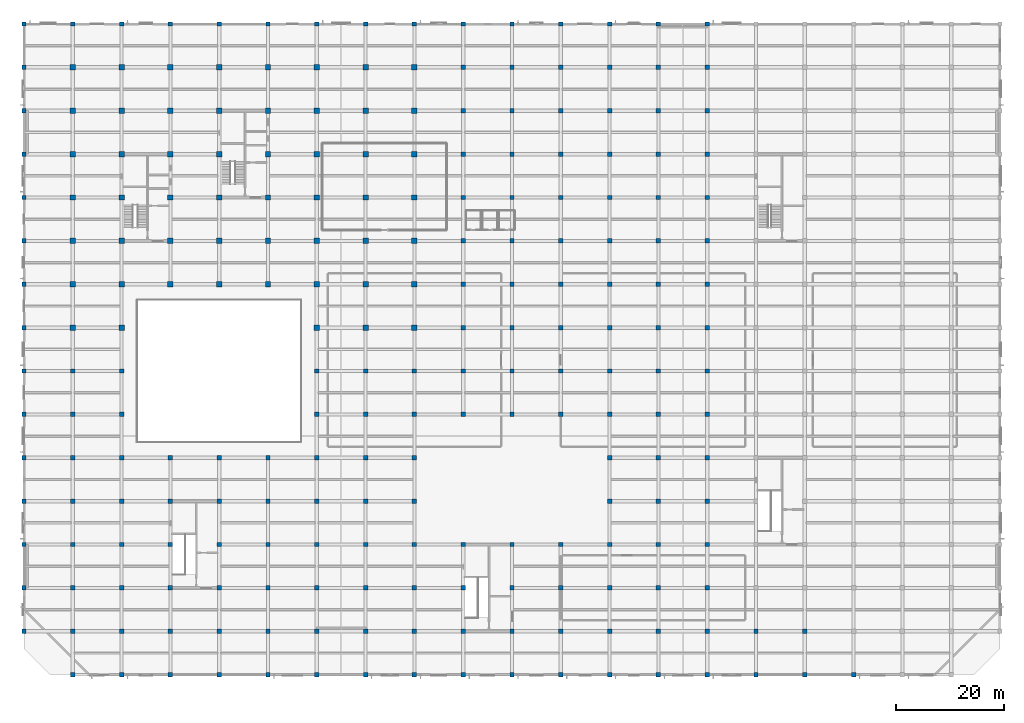
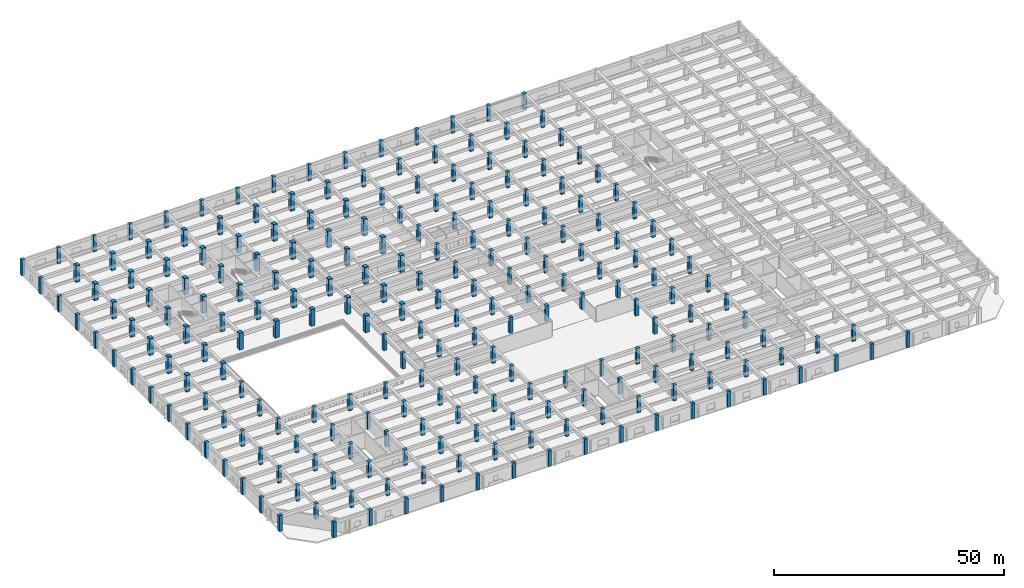
# One storey, part 1 of 32: 229 columns.
"""IFC4 building model written with IfcOpenShell, lengths in metres."""

import ifcopenshell
import ifcopenshell.guid

model = None  # the IFC model being written
_history = None  # IfcOwnerHistory: only IFC2X3 demands one
_inside = {}  # id of a spatial element -> (the spatial element, [elements in it])
_under = {}  # id of a project, library or spatial element -> (it, [spatial elements below it])
_declared = {}  # id of a project -> (the project, [libraries it declares])
_typed = {}  # id of a type object -> (the type object, [elements of that type])
_made_of = {}  # id of a material, layer set ... -> (it, [elements and type objects made of it])


def new_model(schema):
    """Start an empty IFC model of exactly this schema.

    Asked for "IFC4X3", IfcOpenShell would pick the latest addendum, in which some entities
    have other attributes; the version numbers below select the first issue.
    IFC2X3 requires an IfcOwnerHistory on every rooted entity: one is made here for all.
    """
    global model, _history
    if schema == "IFC4X3":
        model = ifcopenshell.file(schema_version=(4, 3, 0, 0))
    else:
        model = ifcopenshell.file(schema=schema)
    _inside.clear()
    _under.clear()
    _declared.clear()
    _typed.clear()
    _made_of.clear()
    _history = None
    if model.schema == "IFC2X3":
        org = make("IfcOrganization", Name="unknown")
        user = make(
            "IfcPersonAndOrganization",
            ThePerson=make("IfcPerson", FamilyName="unknown"),
            TheOrganization=org,
        )
        app = make(
            "IfcApplication",
            ApplicationDeveloper=org,
            Version="unknown",
            ApplicationFullName="unknown",
            ApplicationIdentifier="unknown",
        )
        _history = make(
            "IfcOwnerHistory",
            OwningUser=user,
            OwningApplication=app,
            ChangeAction="ADDED",
            CreationDate=0,
        )
    return model


def make(cls, **values):
    """One entity of the class cls with the attributes given. An attribute that is None is left unset."""
    return model.create_entity(
        cls, **{name: value for name, value in values.items() if value is not None}
    )


def rooted(cls, **values):
    """An entity with a GlobalId (a new one), such as an element, a storey or a relation."""
    return make(cls, GlobalId=ifcopenshell.guid.new(), OwnerHistory=_history, **values)


def si_unit(unit_type, name, prefix=None):
    """IfcSIUnit, for example si_unit("LENGTHUNIT", "METRE", prefix="MILLI")."""
    return make("IfcSIUnit", UnitType=unit_type, Prefix=prefix, Name=name)


def assignment(units):
    """IfcUnitAssignment: the units of a project."""
    return None if units is None else make("IfcUnitAssignment", Units=units)


def point(xyz):
    """IfcCartesianPoint."""
    return None if xyz is None else make("IfcCartesianPoint", Coordinates=xyz)


def direction(xyz):
    """IfcDirection."""
    return None if xyz is None else make("IfcDirection", DirectionRatios=xyz)


def frame(location, z_axis=None, x_axis=None):
    """IfcAxis2Placement3D, a coordinate frame: its origin and axes. An axis left out is left unset."""
    return make(
        "IfcAxis2Placement3D",
        Location=point(location),
        Axis=direction(z_axis),
        RefDirection=direction(x_axis),
    )


def frame_2d(location, x_axis=None):
    """IfcAxis2Placement2D, a coordinate frame in the plane: its origin and x axis."""
    return make(
        "IfcAxis2Placement2D", Location=point(location), RefDirection=direction(x_axis)
    )


def origin():
    """The frame at (0, 0, 0) with its axes left unset."""
    return frame((0.0, 0.0, 0.0))


def origin_2d():
    """The frame at (0, 0) in the plane with its x axis left unset."""
    return frame_2d((0.0, 0.0))


def place(relative_to, where):
    """IfcLocalPlacement: puts the frame where relative to a parent placement (None: the world)."""
    return make(
        "IfcLocalPlacement", PlacementRelTo=relative_to, RelativePlacement=where
    )


def context(
    kind, dimensions, precision=None, world=None, true_north=None, identifier=None
):
    """IfcGeometricRepresentationContext, for example the 3D "Model" context."""
    return make(
        "IfcGeometricRepresentationContext",
        ContextIdentifier=identifier,
        ContextType=kind,
        CoordinateSpaceDimension=dimensions,
        Precision=precision,
        WorldCoordinateSystem=world,
        TrueNorth=true_north,
    )


def subcontext(parent, identifier, kind, view, scale=None):
    """IfcGeometricRepresentationSubContext, for example "Body" below "Model"."""
    return make(
        "IfcGeometricRepresentationSubContext",
        ContextIdentifier=identifier,
        ContextType=kind,
        ParentContext=parent,
        TargetScale=scale,
        TargetView=view,
    )


def project(units=None, contexts=None):
    """IfcProject with its units and contexts."""
    return rooted(
        "IfcProject",
        Name="project",
        RepresentationContexts=contexts,
        UnitsInContext=assignment(units),
    )


def spatial(cls, under=None, at=None, **own):
    """A site, building, storey or space (cls), placed at a placement, below another one or the project."""
    s = rooted(cls, ObjectPlacement=at, **own)
    if under is not None:
        _under.setdefault(under.id(), (under, []))[1].append(s)
    return s


def profile(cls, at=None, kind="AREA", **sizes):
    """A parametric profile (cls). Its sizes go by their IFC names, for example OverallWidth=200.0."""
    return make(cls, ProfileType=kind, Position=at, **sizes)


def rectangle(**sizes):
    """IfcRectangleProfileDef."""
    return profile("IfcRectangleProfileDef", **sizes)


def extrude(swept, where, along, depth):
    """IfcExtrudedAreaSolid: the profile swept, set in the frame where, extruded along a direction by depth."""
    return make(
        "IfcExtrudedAreaSolid",
        SweptArea=swept,
        Position=where,
        ExtrudedDirection=direction(along),
        Depth=depth,
    )


def shape(context_of_items, identifier, shape_type, items):
    """IfcShapeRepresentation: the items that make up one representation, for example the "Body"."""
    return make(
        "IfcShapeRepresentation",
        ContextOfItems=context_of_items,
        RepresentationIdentifier=identifier,
        RepresentationType=shape_type,
        Items=items,
    )


def material(Name=None, Category=None):
    """IfcMaterial."""
    return make("IfcMaterial", Name=Name, Category=Category)


def material_profile(
    of_material, cross_section, Name=None, Category=None, Priority=None
):
    """IfcMaterialProfile: a cross section and its material."""
    return make(
        "IfcMaterialProfile",
        Name=Name,
        Material=of_material,
        Profile=cross_section,
        Priority=Priority,
        Category=Category,
    )


def profile_set(profiles, Name=None, composite=None):
    """IfcMaterialProfileSet."""
    return make(
        "IfcMaterialProfileSet",
        Name=Name,
        MaterialProfiles=profiles,
        CompositeProfile=composite,
    )


def made_of(thing, what):
    """Note that an element or type object is made of a material, layer set ...; save() writes the relation."""
    if what is not None:
        _made_of.setdefault(what.id(), (what, []))[1].append(thing)
    return thing


def type_object(cls, material=None, **own):
    """A type object (cls), such as IfcWallType, which elements share."""
    return made_of(rooted(cls, **own), material)


def element(
    cls,
    number,
    at=None,
    inside=None,
    cuts=None,
    type_object=None,
    material=None,
    context=None,
    identifier="Body",
    shape_type=None,
    held_by="IfcProductDefinitionShape",
    body=None,
    shapes=None,
    **own,
):
    """One element of the class cls, such as IfcWall. Its Tag is "e" and its number.

    at: its placement. inside: the storey or other place that contains it. cuts: it is an
    opening in that element (IfcRelVoidsElement). A single representation is given by context,
    identifier, shape_type and body (its items); several are given by shapes. held_by: the class
    of the entity that holds the representations. save() writes the other relations.
    """
    e = rooted(cls, Tag="e%d" % number, ObjectPlacement=at, **own)
    if body is not None:
        shapes = [shape(context, identifier, shape_type, body)]
    if shapes is not None:
        e.Representation = make(held_by, Representations=shapes)
    if inside is not None:
        _inside.setdefault(inside.id(), (inside, []))[1].append(e)
    if cuts is not None:
        rooted(
            "IfcRelVoidsElement", RelatingBuildingElement=cuts, RelatedOpeningElement=e
        )
    if type_object is not None:
        _typed.setdefault(type_object.id(), (type_object, []))[1].append(e)
    return made_of(e, material)


def aggregate(whole, parts):
    """IfcRelAggregates: a whole, such as a stair, and the parts it consists of."""
    return rooted("IfcRelAggregates", RelatingObject=whole, RelatedObjects=parts)


def save(model, path):
    """Write the relations noted so far, then the file.

    IfcRelAggregates (storeys below a building ...), IfcRelContainedInSpatialStructure (elements
    in a storey), IfcRelDefinesByType, IfcRelAssociatesMaterial and IfcRelDeclares: one each for
    every whole, place, type object, material and project.
    """
    for whole, parts in _under.values():
        aggregate(whole, parts)
    for where, things in _inside.values():
        rooted(
            "IfcRelContainedInSpatialStructure",
            RelatedElements=things,
            RelatingStructure=where,
        )
    for kind, things in _typed.values():
        rooted("IfcRelDefinesByType", RelatedObjects=things, RelatingType=kind)
    for what, things in _made_of.values():
        rooted("IfcRelAssociatesMaterial", RelatedObjects=things, RelatingMaterial=what)
    for by, libraries in _declared.values():
        rooted("IfcRelDeclares", RelatingContext=by, RelatedDefinitions=libraries)
    model.write(path)


model = new_model("IFC4")

# Units and contexts
model_context = context("Model", 3, precision=1e-05, world=origin(), true_north=direction((0.0, 1.0)))
body_context = subcontext(model_context, "Body", "Model", "MODEL_VIEW")
ifc_project = project(units=[si_unit("LENGTHUNIT", "METRE"), si_unit("AREAUNIT", "SQUARE_METRE"), si_unit("VOLUMEUNIT", "CUBIC_METRE"), si_unit("PLANEANGLEUNIT", "RADIAN"), si_unit("MASSUNIT", "GRAM", prefix="KILO")], contexts=[model_context])

# Site, building, storey
site_placement = place(None, origin())
site = spatial("IfcSite", under=ifc_project, at=site_placement, CompositionType="ELEMENT")
building_placement = place(site_placement, origin())
building = spatial("IfcBuilding", under=site, at=building_placement, Name="Zaverband Oceanarium and Marine Research Institute", CompositionType="ELEMENT")
storey_placement = place(building_placement, frame((0.0, 0.0, 13.5)))
storey = spatial("IfcBuildingStorey", under=building, at=storey_placement, Name="L03", CompositionType="ELEMENT", Elevation=13.5)

# Columns
ifc_material = material(Name="Concrete C50/60", Category="concrete")
ifc_material_profile_1 = material_profile(ifc_material, rectangle(XDim=1.0, YDim=1.0, at=origin_2d()), Name="RC1000x1000")
ifc_profile_set_1 = profile_set([ifc_material_profile_1], Name="Concrete C50/60")
column_type_1 = type_object("IfcColumnType", Name="COL-C1000", PredefinedType="COLUMN", material=ifc_profile_set_1)
for number, where, z_axis, x_axis, name in (
    (1, (9.0, 64.0, 0.0), (0.0, 0.0, 1.0), (1.0, 0.0, 0.0), "Reinforced concrete column RC1000x1000 COL-C1000"),
    (2, (9.0, 72.0, 0.0), (0.0, 0.0, 1.0), (1.0, 0.0, 0.0), "Reinforced concrete column RC1000x1000 COL-C1000"),
    (3, (9.0, 80.0, 0.0), (0.0, 0.0, 1.0), (1.0, 0.0, 0.0), "Reinforced concrete column RC1000x1000 COL-C1000"),
    (4, (9.0, 88.0, 0.0), (0.0, 0.0, 1.0), (1.0, 0.0, 0.0), "Reinforced concrete column RC1000x1000 COL-C1000"),
    (5, (9.0, 96.0, 0.0), (0.0, 0.0, 1.0), (1.0, 0.0, 0.0), "Reinforced concrete column RC1000x1000 COL-C1000"),
    (6, (9.0, 104.0, 0.0), (0.0, 0.0, 1.0), (1.0, 0.0, 0.0), "Reinforced concrete column RC1000x1000 COL-C1000"),
    (7, (9.0, 112.0, 0.0), (0.0, 0.0, 1.0), (1.0, 0.0, 0.0), "Reinforced concrete column RC1000x1000 COL-C1000"),
    (8, (18.0, 64.0, 0.0), (0.0, 0.0, 1.0), (1.0, 0.0, 0.0), "Reinforced concrete column RC1000x1000 COL-C1000"),
    (9, (18.0, 72.0, 0.0), (0.0, 0.0, 1.0), (1.0, 0.0, 0.0), "Reinforced concrete column RC1000x1000 COL-C1000"),
    (10, (18.0, 80.0, 0.0), (0.0, 0.0, 1.0), (1.0, 0.0, 0.0), "Reinforced concrete column RC1000x1000 COL-C1000"),
    (11, (18.0, 88.0, 0.0), (0.0, 0.0, 1.0), (1.0, 0.0, 0.0), "Reinforced concrete column RC1000x1000 COL-C1000"),
    (12, (18.0, 96.0, 0.0), (0.0, 0.0, 1.0), (1.0, 0.0, 0.0), "Reinforced concrete column RC1000x1000 COL-C1000"),
    (13, (18.0, 104.0, 0.0), (0.0, 0.0, 1.0), (1.0, 0.0, 0.0), "Reinforced concrete column RC1000x1000 COL-C1000"),
    (14, (18.0, 112.0, 0.0), (0.0, 0.0, 1.0), (1.0, 0.0, 0.0), "Reinforced concrete column RC1000x1000 COL-C1000"),
    (15, (27.0, 72.0, 0.0), (0.0, 0.0, 1.0), (1.0, 0.0, 0.0), "Reinforced concrete column RC1000x1000 COL-C1000"),
    (16, (27.0, 80.0, 0.0), (0.0, 0.0, 1.0), (1.0, 0.0, 0.0), "Reinforced concrete column RC1000x1000 COL-C1000"),
    (17, (27.0, 88.0, 0.0), (0.0, 0.0, 1.0), (1.0, 0.0, 0.0), "Reinforced concrete column RC1000x1000 COL-C1000"),
    (18, (27.0, 96.0, 0.0), (0.0, 0.0, 1.0), (1.0, 0.0, 0.0), "Reinforced concrete column RC1000x1000 COL-C1000"),
    (19, (27.0, 104.0, 0.0), (0.0, 0.0, 1.0), (1.0, 0.0, 0.0), "Reinforced concrete column RC1000x1000 COL-C1000"),
    (20, (27.0, 112.0, 0.0), (0.0, 0.0, 1.0), (1.0, 0.0, 0.0), "Reinforced concrete column RC1000x1000 COL-C1000"),
    (21, (36.0, 72.0, 0.0), (0.0, 0.0, 1.0), (1.0, 0.0, 0.0), "Reinforced concrete column RC1000x1000 COL-C1000"),
    (22, (36.0, 80.0, 0.0), (0.0, 0.0, 1.0), (1.0, 0.0, 0.0), "Reinforced concrete column RC1000x1000 COL-C1000"),
    (23, (36.0, 88.0, 0.0), (0.0, 0.0, 1.0), (1.0, 0.0, 0.0), "Reinforced concrete column RC1000x1000 COL-C1000"),
    (24, (36.0, 96.0, 0.0), (0.0, 0.0, 1.0), (1.0, 0.0, 0.0), "Reinforced concrete column RC1000x1000 COL-C1000"),
    (25, (36.0, 104.0, 0.0), (0.0, 0.0, 1.0), (1.0, 0.0, 0.0), "Reinforced concrete column RC1000x1000 COL-C1000"),
    (26, (36.0, 112.0, 0.0), (0.0, 0.0, 1.0), (1.0, 0.0, 0.0), "Reinforced concrete column RC1000x1000 COL-C1000"),
    (27, (45.0, 72.0, 0.0), (0.0, 0.0, 1.0), (1.0, 0.0, 0.0), "Reinforced concrete column RC1000x1000 COL-C1000"),
    (28, (45.0, 80.0, 0.0), (0.0, 0.0, 1.0), (1.0, 0.0, 0.0), "Reinforced concrete column RC1000x1000 COL-C1000"),
    (29, (45.0, 88.0, 0.0), (0.0, 0.0, 1.0), (1.0, 0.0, 0.0), "Reinforced concrete column RC1000x1000 COL-C1000"),
    (30, (45.0, 96.0, 0.0), (0.0, 0.0, 1.0), (1.0, 0.0, 0.0), "Reinforced concrete column RC1000x1000 COL-C1000"),
    (31, (45.0, 104.0, 0.0), (0.0, 0.0, 1.0), (1.0, 0.0, 0.0), "Reinforced concrete column RC1000x1000 COL-C1000"),
    (32, (45.0, 112.0, 0.0), (0.0, 0.0, 1.0), (1.0, 0.0, 0.0), "Reinforced concrete column RC1000x1000 COL-C1000"),
    (33, (54.0, 64.0, 0.0), (0.0, 0.0, 1.0), (1.0, 0.0, 0.0), "Reinforced concrete column RC1000x1000 COL-C1000"),
    (34, (54.0, 72.0, 0.0), (0.0, 0.0, 1.0), (1.0, 0.0, 0.0), "Reinforced concrete column RC1000x1000 COL-C1000"),
    (35, (54.0, 80.0, 0.0), (0.0, 0.0, 1.0), (1.0, 0.0, 0.0), "Reinforced concrete column RC1000x1000 COL-C1000"),
    (36, (54.0, 88.0, 0.0), (0.0, 0.0, 1.0), (1.0, 0.0, 0.0), "Reinforced concrete column RC1000x1000 COL-C1000"),
    (37, (54.0, 96.0, 0.0), (0.0, 0.0, 1.0), (1.0, 0.0, 0.0), "Reinforced concrete column RC1000x1000 COL-C1000"),
    (38, (54.0, 104.0, 0.0), (0.0, 0.0, 1.0), (1.0, 0.0, 0.0), "Reinforced concrete column RC1000x1000 COL-C1000"),
    (39, (54.0, 112.0, 0.0), (0.0, 0.0, 1.0), (1.0, 0.0, 0.0), "Reinforced concrete column RC1000x1000 COL-C1000"),
    (40, (63.0, 64.0, 0.0), (0.0, 0.0, 1.0), (1.0, 0.0, 0.0), "Reinforced concrete column RC1000x1000 COL-C1000"),
    (41, (63.0, 72.0, 0.0), (0.0, 0.0, 1.0), (1.0, 0.0, 0.0), "Reinforced concrete column RC1000x1000 COL-C1000"),
    (42, (63.0, 80.0, 0.0), (0.0, 0.0, 1.0), (1.0, 0.0, 0.0), "Reinforced concrete column RC1000x1000 COL-C1000"),
    (43, (63.0, 88.0, 0.0), (0.0, 0.0, 1.0), (1.0, 0.0, 0.0), "Reinforced concrete column RC1000x1000 COL-C1000"),
    (44, (63.0, 96.0, 0.0), (0.0, 0.0, 1.0), (1.0, 0.0, 0.0), "Reinforced concrete column RC1000x1000 COL-C1000"),
    (45, (63.0, 104.0, 0.0), (0.0, 0.0, 1.0), (1.0, 0.0, 0.0), "Reinforced concrete column RC1000x1000 COL-C1000"),
    (46, (63.0, 112.0, 0.0), (0.0, 0.0, 1.0), (1.0, 0.0, 0.0), "Reinforced concrete column RC1000x1000 COL-C1000"),
    (47, (72.0, 64.0, 0.0), (0.0, 0.0, 1.0), (1.0, 0.0, 0.0), "Reinforced concrete column RC1000x1000 COL-C1000"),
    (48, (72.0, 72.0, 0.0), (0.0, 0.0, 1.0), (1.0, 0.0, 0.0), "Reinforced concrete column RC1000x1000 COL-C1000"),
    (49, (72.0, 80.0, 0.0), (0.0, 0.0, 1.0), (1.0, 0.0, 0.0), "Reinforced concrete column RC1000x1000 COL-C1000"),
    (50, (72.0, 88.0, 0.0), (0.0, 0.0, 1.0), (1.0, 0.0, 0.0), "Reinforced concrete column RC1000x1000 COL-C1000"),
    (51, (72.0, 96.0, 0.0), (0.0, 0.0, 1.0), (1.0, 0.0, 0.0), "Reinforced concrete column RC1000x1000 COL-C1000"),
    (52, (72.0, 104.0, 0.0), (0.0, 0.0, 1.0), (1.0, 0.0, 0.0), "Reinforced concrete column RC1000x1000 COL-C1000"),
    (53, (72.0, 112.0, 0.0), (0.0, 0.0, 1.0), (1.0, 0.0, 0.0), "Reinforced concrete column RC1000x1000 COL-C1000"),
):
    element("IfcColumn", number, at=place(storey_placement, frame(where, z_axis=z_axis, x_axis=x_axis)), inside=storey, type_object=column_type_1, Name=name, PredefinedType="COLUMN", context=body_context, shape_type="SweptSolid", body=[
        extrude(rectangle(XDim=1.0, YDim=1.0, at=origin_2d()), origin(), (0.0, 0.0, 1.0), 4.5),
    ])
ifc_material_profile_2 = material_profile(ifc_material, rectangle(XDim=0.800048828125, YDim=0.800048828125, at=origin_2d()), Name="RC800x800")
ifc_profile_set_2 = profile_set([ifc_material_profile_2], Name="Concrete C50/60")
column_type_2 = type_object("IfcColumnType", Name="COL-C800", PredefinedType="COLUMN", material=ifc_profile_set_2)
for number, where, z_axis, x_axis, name in (
    (54, (0.0, 8.0, 0.0), (0.0, 0.0, 1.0), (1.0, 0.0, 0.0), "Reinforced concrete column RC800x800 COL-C800"),
    (55, (0.0, 16.0, 0.0), (0.0, 0.0, 1.0), (1.0, 0.0, 0.0), "Reinforced concrete column RC800x800 COL-C800"),
    (56, (0.0, 24.0, 0.0), (0.0, 0.0, 1.0), (1.0, 0.0, 0.0), "Reinforced concrete column RC800x800 COL-C800"),
    (57, (0.0, 32.0, 0.0), (0.0, 0.0, 1.0), (1.0, 0.0, 0.0), "Reinforced concrete column RC800x800 COL-C800"),
    (58, (0.0, 40.0, 0.0), (0.0, 0.0, 1.0), (1.0, 0.0, 0.0), "Reinforced concrete column RC800x800 COL-C800"),
    (59, (0.0, 48.0, 0.0), (0.0, 0.0, 1.0), (1.0, 0.0, 0.0), "Reinforced concrete column RC800x800 COL-C800"),
    (60, (0.0, 56.0, 0.0), (0.0, 0.0, 1.0), (1.0, 0.0, 0.0), "Reinforced concrete column RC800x800 COL-C800"),
    (61, (0.0, 64.0, 0.0), (0.0, 0.0, 1.0), (1.0, 0.0, 0.0), "Reinforced concrete column RC800x800 COL-C800"),
    (62, (0.0, 72.0, 0.0), (0.0, 0.0, 1.0), (1.0, 0.0, 0.0), "Reinforced concrete column RC800x800 COL-C800"),
    (63, (0.0, 80.0, 0.0), (0.0, 0.0, 1.0), (1.0, 0.0, 0.0), "Reinforced concrete column RC800x800 COL-C800"),
    (64, (0.0, 88.0, 0.0), (0.0, 0.0, 1.0), (1.0, 0.0, 0.0), "Reinforced concrete column RC800x800 COL-C800"),
    (65, (0.0, 96.0, 0.0), (0.0, 0.0, 1.0), (1.0, 0.0, 0.0), "Reinforced concrete column RC800x800 COL-C800"),
    (66, (0.0, 104.0, 0.0), (0.0, 0.0, 1.0), (1.0, 0.0, 0.0), "Reinforced concrete column RC800x800 COL-C800"),
    (67, (0.0, 112.0, 0.0), (0.0, 0.0, 1.0), (1.0, 0.0, 0.0), "Reinforced concrete column RC800x800 COL-C800"),
    (68, (0.0, 120.0, 0.0), (0.0, 0.0, 1.0), (1.0, 0.0, 0.0), "Reinforced concrete column RC800x800 COL-C800"),
    (69, (9.0, 0.0, 0.0), (0.0, 0.0, 1.0), (1.0, 0.0, 0.0), "Reinforced concrete column RC800x800 COL-C800"),
    (70, (9.0, 8.0, 0.0), (0.0, 0.0, 1.0), (1.0, 0.0, 0.0), "Reinforced concrete column RC800x800 COL-C800"),
    (71, (9.0, 16.0, 0.0), (0.0, 0.0, 1.0), (1.0, 0.0, 0.0), "Reinforced concrete column RC800x800 COL-C800"),
    (72, (9.0, 24.0, 0.0), (0.0, 0.0, 1.0), (1.0, 0.0, 0.0), "Reinforced concrete column RC800x800 COL-C800"),
    (73, (9.0, 32.0, 0.0), (0.0, 0.0, 1.0), (1.0, 0.0, 0.0), "Reinforced concrete column RC800x800 COL-C800"),
    (74, (9.0, 40.0, 0.0), (0.0, 0.0, 1.0), (1.0, 0.0, 0.0), "Reinforced concrete column RC800x800 COL-C800"),
    (75, (9.0, 48.0, 0.0), (0.0, 0.0, 1.0), (1.0, 0.0, 0.0), "Reinforced concrete column RC800x800 COL-C800"),
    (76, (9.0, 56.0, 0.0), (0.0, 0.0, 1.0), (1.0, 0.0, 0.0), "Reinforced concrete column RC800x800 COL-C800"),
    (77, (9.0, 120.0, 0.0), (0.0, 0.0, 1.0), (1.0, 0.0, 0.0), "Reinforced concrete column RC800x800 COL-C800"),
    (78, (18.0, 0.0, 0.0), (0.0, 0.0, 1.0), (1.0, 0.0, 0.0), "Reinforced concrete column RC800x800 COL-C800"),
    (79, (18.0, 8.0, 0.0), (0.0, 0.0, 1.0), (1.0, 0.0, 0.0), "Reinforced concrete column RC800x800 COL-C800"),
    (80, (18.0, 16.0, 0.0), (0.0, 0.0, 1.0), (1.0, 0.0, 0.0), "Reinforced concrete column RC800x800 COL-C800"),
    (81, (18.0, 24.0, 0.0), (0.0, 0.0, 1.0), (1.0, 0.0, 0.0), "Reinforced concrete column RC800x800 COL-C800"),
    (82, (18.0, 32.0, 0.0), (0.0, 0.0, 1.0), (1.0, 0.0, 0.0), "Reinforced concrete column RC800x800 COL-C800"),
    (83, (18.0, 40.0, 0.0), (0.0, 0.0, 1.0), (1.0, 0.0, 0.0), "Reinforced concrete column RC800x800 COL-C800"),
    (84, (18.0, 48.0, 0.0), (0.0, 0.0, 1.0), (1.0, 0.0, 0.0), "Reinforced concrete column RC800x800 COL-C800"),
    (85, (18.0, 56.0, 0.0), (0.0, 0.0, 1.0), (1.0, 0.0, 0.0), "Reinforced concrete column RC800x800 COL-C800"),
    (86, (18.0, 120.0, 0.0), (0.0, 0.0, 1.0), (1.0, 0.0, 0.0), "Reinforced concrete column RC800x800 COL-C800"),
    (87, (27.0, 0.0, 0.0), (0.0, 0.0, 1.0), (1.0, 0.0, 0.0), "Reinforced concrete column RC800x800 COL-C800"),
    (88, (27.0, 8.0, 0.0), (0.0, 0.0, 1.0), (1.0, 0.0, 0.0), "Reinforced concrete column RC800x800 COL-C800"),
    (89, (27.0, 16.0, 0.0), (0.0, 0.0, 1.0), (1.0, 0.0, 0.0), "Reinforced concrete column RC800x800 COL-C800"),
    (90, (27.0, 24.0, 0.0), (0.0, 0.0, 1.0), (1.0, 0.0, 0.0), "Reinforced concrete column RC800x800 COL-C800"),
    (91, (27.0, 32.0, 0.0), (0.0, 0.0, 1.0), (1.0, 0.0, 0.0), "Reinforced concrete column RC800x800 COL-C800"),
    (92, (27.0, 40.0, 0.0), (0.0, 0.0, 1.0), (1.0, 0.0, 0.0), "Reinforced concrete column RC800x800 COL-C800"),
    (93, (27.0, 120.0, 0.0), (0.0, 0.0, 1.0), (1.0, 0.0, 0.0), "Reinforced concrete column RC800x800 COL-C800"),
    (94, (36.0, 0.0, 0.0), (0.0, 0.0, 1.0), (1.0, 0.0, 0.0), "Reinforced concrete column RC800x800 COL-C800"),
    (95, (36.0, 8.0, 0.0), (0.0, 0.0, 1.0), (1.0, 0.0, 0.0), "Reinforced concrete column RC800x800 COL-C800"),
    (96, (36.0, 16.0, 0.0), (0.0, 0.0, 1.0), (1.0, 0.0, 0.0), "Reinforced concrete column RC800x800 COL-C800"),
    (97, (36.0, 24.0, 0.0), (0.0, 0.0, 1.0), (1.0, 0.0, 0.0), "Reinforced concrete column RC800x800 COL-C800"),
    (98, (36.0, 32.0, 0.0), (0.0, 0.0, 1.0), (1.0, 0.0, 0.0), "Reinforced concrete column RC800x800 COL-C800"),
    (99, (36.0, 40.0, 0.0), (0.0, 0.0, 1.0), (1.0, 0.0, 0.0), "Reinforced concrete column RC800x800 COL-C800"),
    (100, (36.0, 120.0, 0.0), (0.0, 0.0, 1.0), (1.0, 0.0, 0.0), "Reinforced concrete column RC800x800 COL-C800"),
    (101, (45.0, 0.0, 0.0), (0.0, 0.0, 1.0), (1.0, 0.0, 0.0), "Reinforced concrete column RC800x800 COL-C800"),
    (102, (45.0, 8.0, 0.0), (0.0, 0.0, 1.0), (1.0, 0.0, 0.0), "Reinforced concrete column RC800x800 COL-C800"),
    (103, (45.0, 16.0, 0.0), (0.0, 0.0, 1.0), (1.0, 0.0, 0.0), "Reinforced concrete column RC800x800 COL-C800"),
    (104, (45.0, 24.0, 0.0), (0.0, 0.0, 1.0), (1.0, 0.0, 0.0), "Reinforced concrete column RC800x800 COL-C800"),
    (105, (45.0, 32.0, 0.0), (0.0, 0.0, 1.0), (1.0, 0.0, 0.0), "Reinforced concrete column RC800x800 COL-C800"),
    (106, (45.0, 40.0, 0.0), (0.0, 0.0, 1.0), (1.0, 0.0, 0.0), "Reinforced concrete column RC800x800 COL-C800"),
    (107, (45.0, 120.0, 0.0), (0.0, 0.0, 1.0), (1.0, 0.0, 0.0), "Reinforced concrete column RC800x800 COL-C800"),
    (108, (54.0, 0.0, 0.0), (0.0, 0.0, 1.0), (1.0, 0.0, 0.0), "Reinforced concrete column RC800x800 COL-C800"),
    (109, (54.0, 8.0, 0.0), (0.0, 0.0, 1.0), (1.0, 0.0, 0.0), "Reinforced concrete column RC800x800 COL-C800"),
    (110, (54.0, 16.0, 0.0), (0.0, 0.0, 1.0), (1.0, 0.0, 0.0), "Reinforced concrete column RC800x800 COL-C800"),
    (111, (54.0, 24.0, 0.0), (0.0, 0.0, 1.0), (1.0, 0.0, 0.0), "Reinforced concrete column RC800x800 COL-C800"),
    (112, (54.0, 32.0, 0.0), (0.0, 0.0, 1.0), (1.0, 0.0, 0.0), "Reinforced concrete column RC800x800 COL-C800"),
    (113, (54.0, 40.0, 0.0), (0.0, 0.0, 1.0), (1.0, 0.0, 0.0), "Reinforced concrete column RC800x800 COL-C800"),
    (114, (54.0, 48.0, 0.0), (0.0, 0.0, 1.0), (1.0, 0.0, 0.0), "Reinforced concrete column RC800x800 COL-C800"),
    (115, (54.0, 56.0, 0.0), (0.0, 0.0, 1.0), (1.0, 0.0, 0.0), "Reinforced concrete column RC800x800 COL-C800"),
    (116, (54.0, 120.0, 0.0), (0.0, 0.0, 1.0), (1.0, 0.0, 0.0), "Reinforced concrete column RC800x800 COL-C800"),
    (117, (63.0, 0.0, 0.0), (0.0, 0.0, 1.0), (1.0, 0.0, 0.0), "Reinforced concrete column RC800x800 COL-C800"),
    (118, (63.0, 8.0, 0.0), (0.0, 0.0, 1.0), (1.0, 0.0, 0.0), "Reinforced concrete column RC800x800 COL-C800"),
    (119, (63.0, 16.0, 0.0), (0.0, 0.0, 1.0), (1.0, 0.0, 0.0), "Reinforced concrete column RC800x800 COL-C800"),
    (120, (63.0, 24.0, 0.0), (0.0, 0.0, 1.0), (1.0, 0.0, 0.0), "Reinforced concrete column RC800x800 COL-C800"),
    (121, (63.0, 32.0, 0.0), (0.0, 0.0, 1.0), (1.0, 0.0, 0.0), "Reinforced concrete column RC800x800 COL-C800"),
    (122, (63.0, 40.0, 0.0), (0.0, 0.0, 1.0), (1.0, 0.0, 0.0), "Reinforced concrete column RC800x800 COL-C800"),
    (123, (63.0, 48.0, 0.0), (0.0, 0.0, 1.0), (1.0, 0.0, 0.0), "Reinforced concrete column RC800x800 COL-C800"),
    (124, (63.0, 56.0, 0.0), (0.0, 0.0, 1.0), (1.0, 0.0, 0.0), "Reinforced concrete column RC800x800 COL-C800"),
    (125, (63.0, 120.0, 0.0), (0.0, 0.0, 1.0), (1.0, 0.0, 0.0), "Reinforced concrete column RC800x800 COL-C800"),
    (126, (72.0, 0.0, 0.0), (0.0, 0.0, 1.0), (1.0, 0.0, 0.0), "Reinforced concrete column RC800x800 COL-C800"),
    (127, (72.0, 8.0, 0.0), (0.0, 0.0, 1.0), (1.0, 0.0, 0.0), "Reinforced concrete column RC800x800 COL-C800"),
    (128, (72.0, 16.0, 0.0), (0.0, 0.0, 1.0), (1.0, 0.0, 0.0), "Reinforced concrete column RC800x800 COL-C800"),
    (129, (72.0, 24.0, 0.0), (0.0, 0.0, 1.0), (1.0, 0.0, 0.0), "Reinforced concrete column RC800x800 COL-C800"),
    (130, (72.0, 32.0, 0.0), (0.0, 0.0, 1.0), (1.0, 0.0, 0.0), "Reinforced concrete column RC800x800 COL-C800"),
    (131, (72.0, 40.0, 0.0), (0.0, 0.0, 1.0), (1.0, 0.0, 0.0), "Reinforced concrete column RC800x800 COL-C800"),
    (132, (72.0, 48.0, 0.0), (0.0, 0.0, 1.0), (1.0, 0.0, 0.0), "Reinforced concrete column RC800x800 COL-C800"),
    (133, (72.0, 56.0, 0.0), (0.0, 0.0, 1.0), (1.0, 0.0, 0.0), "Reinforced concrete column RC800x800 COL-C800"),
    (134, (72.0, 120.0, 0.0), (0.0, 0.0, 1.0), (1.0, 0.0, 0.0), "Reinforced concrete column RC800x800 COL-C800"),
    (135, (81.0, 0.0, 0.0), (0.0, 0.0, 1.0), (1.0, 0.0, 0.0), "Reinforced concrete column RC800x800 COL-C800"),
    (136, (81.0, 8.0, 0.0), (0.0, 0.0, 1.0), (1.0, 0.0, 0.0), "Reinforced concrete column RC800x800 COL-C800"),
    (137, (81.0, 16.0, 0.0), (0.0, 0.0, 1.0), (1.0, 0.0, 0.0), "Reinforced concrete column RC800x800 COL-C800"),
    (138, (81.0, 24.0, 0.0), (0.0, 0.0, 1.0), (1.0, 0.0, 0.0), "Reinforced concrete column RC800x800 COL-C800"),
    (139, (81.0, 48.0, 0.0), (0.0, 0.0, 1.0), (1.0, 0.0, 0.0), "Reinforced concrete column RC800x800 COL-C800"),
    (140, (81.0, 56.0, 0.0), (0.0, 0.0, 1.0), (1.0, 0.0, 0.0), "Reinforced concrete column RC800x800 COL-C800"),
):
    element("IfcColumn", number, at=place(storey_placement, frame(where, z_axis=z_axis, x_axis=x_axis)), inside=storey, type_object=column_type_2, Name=name, PredefinedType="COLUMN", context=body_context, shape_type="SweptSolid", body=[
        extrude(rectangle(XDim=0.800048828125, YDim=0.800048828125, at=origin_2d()), origin(), (0.0, 0.0, 1.0), 4.199951171875),
    ])
for number, where, z_axis, x_axis, name in (
    (141, (81.0, 64.0, 0.0), (0.0, 0.0, 1.0), (1.0, 0.0, 0.0), "Reinforced concrete column RC800x800 COL-C800"),
    (142, (81.0, 72.0, 0.0), (0.0, 0.0, 1.0), (1.0, 0.0, 0.0), "Reinforced concrete column RC800x800 COL-C800"),
    (143, (81.0, 80.0, 0.0), (0.0, 0.0, 1.0), (1.0, 0.0, 0.0), "Reinforced concrete column RC800x800 COL-C800"),
    (144, (81.0, 88.0, 0.0), (0.0, 0.0, 1.0), (1.0, 0.0, 0.0), "Reinforced concrete column RC800x800 COL-C800"),
    (145, (81.0, 96.0, 0.0), (0.0, 0.0, 1.0), (1.0, 0.0, 0.0), "Reinforced concrete column RC800x800 COL-C800"),
    (146, (81.0, 104.0, 0.0), (0.0, 0.0, 1.0), (1.0, 0.0, 0.0), "Reinforced concrete column RC800x800 COL-C800"),
    (147, (81.0, 112.0, 0.0), (0.0, 0.0, 1.0), (1.0, 0.0, 0.0), "Reinforced concrete column RC800x800 COL-C800"),
):
    element("IfcColumn", number, at=place(storey_placement, frame(where, z_axis=z_axis, x_axis=x_axis)), inside=storey, type_object=column_type_2, Name=name, PredefinedType="COLUMN", context=body_context, shape_type="SweptSolid", body=[
        extrude(rectangle(XDim=0.800048828125, YDim=0.800048828125, at=origin_2d()), origin(), (0.0, 0.0, 1.0), 4.22998046875),
    ])
for number, where, z_axis, x_axis, name in (
    (148, (81.0, 120.0, 0.0), (0.0, 0.0, 1.0), (1.0, 0.0, 0.0), "Reinforced concrete column RC800x800 COL-C800"),
    (149, (90.0, 0.0, 0.0), (0.0, 0.0, 1.0), (1.0, 0.0, 0.0), "Reinforced concrete column RC800x800 COL-C800"),
    (150, (90.0, 8.0, 0.0), (0.0, 0.0, 1.0), (1.0, 0.0, 0.0), "Reinforced concrete column RC800x800 COL-C800"),
    (151, (90.0, 16.0, 0.0), (0.0, 0.0, 1.0), (1.0, 0.0, 0.0), "Reinforced concrete column RC800x800 COL-C800"),
    (152, (90.0, 24.0, 0.0), (0.0, 0.0, 1.0), (1.0, 0.0, 0.0), "Reinforced concrete column RC800x800 COL-C800"),
    (153, (90.0, 48.0, 0.0), (0.0, 0.0, 1.0), (1.0, 0.0, 0.0), "Reinforced concrete column RC800x800 COL-C800"),
    (154, (90.0, 56.0, 0.0), (0.0, 0.0, 1.0), (1.0, 0.0, 0.0), "Reinforced concrete column RC800x800 COL-C800"),
):
    element("IfcColumn", number, at=place(storey_placement, frame(where, z_axis=z_axis, x_axis=x_axis)), inside=storey, type_object=column_type_2, Name=name, PredefinedType="COLUMN", context=body_context, shape_type="SweptSolid", body=[
        extrude(rectangle(XDim=0.800048828125, YDim=0.800048828125, at=origin_2d()), origin(), (0.0, 0.0, 1.0), 4.199951171875),
    ])
for number, where, z_axis, x_axis, name in (
    (155, (90.0, 64.0, 0.0), (0.0, 0.0, 1.0), (1.0, 0.0, 0.0), "Reinforced concrete column RC800x800 COL-C800"),
    (156, (90.0, 72.0, 0.0), (0.0, 0.0, 1.0), (1.0, 0.0, 0.0), "Reinforced concrete column RC800x800 COL-C800"),
    (157, (90.0, 80.0, 0.0), (0.0, 0.0, 1.0), (1.0, 0.0, 0.0), "Reinforced concrete column RC800x800 COL-C800"),
    (158, (90.0, 88.0, 0.0), (0.0, 0.0, 1.0), (1.0, 0.0, 0.0), "Reinforced concrete column RC800x800 COL-C800"),
    (159, (90.0, 96.0, 0.0), (0.0, 0.0, 1.0), (1.0, 0.0, 0.0), "Reinforced concrete column RC800x800 COL-C800"),
    (160, (90.0, 104.0, 0.0), (0.0, 0.0, 1.0), (1.0, 0.0, 0.0), "Reinforced concrete column RC800x800 COL-C800"),
    (161, (90.0, 112.0, 0.0), (0.0, 0.0, 1.0), (1.0, 0.0, 0.0), "Reinforced concrete column RC800x800 COL-C800"),
):
    element("IfcColumn", number, at=place(storey_placement, frame(where, z_axis=z_axis, x_axis=x_axis)), inside=storey, type_object=column_type_2, Name=name, PredefinedType="COLUMN", context=body_context, shape_type="SweptSolid", body=[
        extrude(rectangle(XDim=0.800048828125, YDim=0.800048828125, at=origin_2d()), origin(), (0.0, 0.0, 1.0), 4.22998046875),
    ])
for number, where, z_axis, x_axis, name in (
    (162, (90.0, 120.0, 0.0), (0.0, 0.0, 1.0), (1.0, 0.0, 0.0), "Reinforced concrete column RC800x800 COL-C800"),
    (163, (99.0, 0.0, 0.0), (0.0, 0.0, 1.0), (1.0, 0.0, 0.0), "Reinforced concrete column RC800x800 COL-C800"),
    (164, (99.0, 8.0, 0.0), (0.0, 0.0, 1.0), (1.0, 0.0, 0.0), "Reinforced concrete column RC800x800 COL-C800"),
    (165, (99.0, 16.0, 0.0), (0.0, 0.0, 1.0), (1.0, 0.0, 0.0), "Reinforced concrete column RC800x800 COL-C800"),
    (166, (99.0, 24.0, 0.0), (0.0, 0.0, 1.0), (1.0, 0.0, 0.0), "Reinforced concrete column RC800x800 COL-C800"),
    (167, (99.0, 48.0, 0.0), (0.0, 0.0, 1.0), (1.0, 0.0, 0.0), "Reinforced concrete column RC800x800 COL-C800"),
    (168, (99.0, 56.0, 0.0), (0.0, 0.0, 1.0), (1.0, 0.0, 0.0), "Reinforced concrete column RC800x800 COL-C800"),
):
    element("IfcColumn", number, at=place(storey_placement, frame(where, z_axis=z_axis, x_axis=x_axis)), inside=storey, type_object=column_type_2, Name=name, PredefinedType="COLUMN", context=body_context, shape_type="SweptSolid", body=[
        extrude(rectangle(XDim=0.800048828125, YDim=0.800048828125, at=origin_2d()), origin(), (0.0, 0.0, 1.0), 4.199951171875),
    ])
for number, where, z_axis, x_axis, name in (
    (169, (99.0, 64.0, 0.0), (0.0, 0.0, 1.0), (1.0, 0.0, 0.0), "Reinforced concrete column RC800x800 COL-C800"),
    (170, (99.0, 72.0, 0.0), (0.0, 0.0, 1.0), (1.0, 0.0, 0.0), "Reinforced concrete column RC800x800 COL-C800"),
    (171, (99.0, 80.0, 0.0), (0.0, 0.0, 1.0), (1.0, 0.0, 0.0), "Reinforced concrete column RC800x800 COL-C800"),
    (172, (99.0, 88.0, 0.0), (0.0, 0.0, 1.0), (1.0, 0.0, 0.0), "Reinforced concrete column RC800x800 COL-C800"),
    (173, (99.0, 96.0, 0.0), (0.0, 0.0, 1.0), (1.0, 0.0, 0.0), "Reinforced concrete column RC800x800 COL-C800"),
    (174, (99.0, 104.0, 0.0), (0.0, 0.0, 1.0), (1.0, 0.0, 0.0), "Reinforced concrete column RC800x800 COL-C800"),
    (175, (99.0, 112.0, 0.0), (0.0, 0.0, 1.0), (1.0, 0.0, 0.0), "Reinforced concrete column RC800x800 COL-C800"),
):
    element("IfcColumn", number, at=place(storey_placement, frame(where, z_axis=z_axis, x_axis=x_axis)), inside=storey, type_object=column_type_2, Name=name, PredefinedType="COLUMN", context=body_context, shape_type="SweptSolid", body=[
        extrude(rectangle(XDim=0.800048828125, YDim=0.800048828125, at=origin_2d()), origin(), (0.0, 0.0, 1.0), 4.22998046875),
    ])
for number, where, z_axis, x_axis, name in (
    (176, (99.0, 120.0, 0.0), (0.0, 0.0, 1.0), (1.0, 0.0, 0.0), "Reinforced concrete column RC800x800 COL-C800"),
    (177, (108.0, 0.0, 0.0), (0.0, 0.0, 1.0), (1.0, 0.0, 0.0), "Reinforced concrete column RC800x800 COL-C800"),
    (178, (108.0, 8.0, 0.0), (0.0, 0.0, 1.0), (1.0, 0.0, 0.0), "Reinforced concrete column RC800x800 COL-C800"),
    (179, (108.0, 16.0, 0.0), (0.0, 0.0, 1.0), (1.0, 0.0, 0.0), "Reinforced concrete column RC800x800 COL-C800"),
    (180, (108.0, 24.0, 0.0), (0.0, 0.0, 1.0), (1.0, 0.0, 0.0), "Reinforced concrete column RC800x800 COL-C800"),
    (181, (108.0, 32.0, 0.0), (0.0, 0.0, 1.0), (1.0, 0.0, 0.0), "Reinforced concrete column RC800x800 COL-C800"),
    (182, (108.0, 40.0, 0.0), (0.0, 0.0, 1.0), (1.0, 0.0, 0.0), "Reinforced concrete column RC800x800 COL-C800"),
    (183, (108.0, 48.0, 0.0), (0.0, 0.0, 1.0), (1.0, 0.0, 0.0), "Reinforced concrete column RC800x800 COL-C800"),
    (184, (108.0, 56.0, 0.0), (0.0, 0.0, 1.0), (1.0, 0.0, 0.0), "Reinforced concrete column RC800x800 COL-C800"),
):
    element("IfcColumn", number, at=place(storey_placement, frame(where, z_axis=z_axis, x_axis=x_axis)), inside=storey, type_object=column_type_2, Name=name, PredefinedType="COLUMN", context=body_context, shape_type="SweptSolid", body=[
        extrude(rectangle(XDim=0.800048828125, YDim=0.800048828125, at=origin_2d()), origin(), (0.0, 0.0, 1.0), 4.199951171875),
    ])
for number, where, z_axis, x_axis, name in (
    (185, (108.0, 64.0, 0.0), (0.0, 0.0, 1.0), (1.0, 0.0, 0.0), "Reinforced concrete column RC800x800 COL-C800"),
    (186, (108.0, 72.0, 0.0), (0.0, 0.0, 1.0), (1.0, 0.0, 0.0), "Reinforced concrete column RC800x800 COL-C800"),
    (187, (108.0, 80.0, 0.0), (0.0, 0.0, 1.0), (1.0, 0.0, 0.0), "Reinforced concrete column RC800x800 COL-C800"),
    (188, (108.0, 88.0, 0.0), (0.0, 0.0, 1.0), (1.0, 0.0, 0.0), "Reinforced concrete column RC800x800 COL-C800"),
    (189, (108.0, 96.0, 0.0), (0.0, 0.0, 1.0), (1.0, 0.0, 0.0), "Reinforced concrete column RC800x800 COL-C800"),
    (190, (108.0, 104.0, 0.0), (0.0, 0.0, 1.0), (1.0, 0.0, 0.0), "Reinforced concrete column RC800x800 COL-C800"),
    (191, (108.0, 112.0, 0.0), (0.0, 0.0, 1.0), (1.0, 0.0, 0.0), "Reinforced concrete column RC800x800 COL-C800"),
):
    element("IfcColumn", number, at=place(storey_placement, frame(where, z_axis=z_axis, x_axis=x_axis)), inside=storey, type_object=column_type_2, Name=name, PredefinedType="COLUMN", context=body_context, shape_type="SweptSolid", body=[
        extrude(rectangle(XDim=0.800048828125, YDim=0.800048828125, at=origin_2d()), origin(), (0.0, 0.0, 1.0), 4.22998046875),
    ])
for number, where, z_axis, x_axis, name in (
    (192, (108.0, 120.0, 0.0), (0.0, 0.0, 1.0), (1.0, 0.0, 0.0), "Reinforced concrete column RC800x800 COL-C800"),
    (193, (117.0, 0.0, 0.0), (0.0, 0.0, 1.0), (1.0, 0.0, 0.0), "Reinforced concrete column RC800x800 COL-C800"),
    (194, (117.0, 8.0, 0.0), (0.0, 0.0, 1.0), (1.0, 0.0, 0.0), "Reinforced concrete column RC800x800 COL-C800"),
    (195, (117.0, 16.0, 0.0), (0.0, 0.0, 1.0), (1.0, 0.0, 0.0), "Reinforced concrete column RC800x800 COL-C800"),
    (196, (117.0, 24.0, 0.0), (0.0, 0.0, 1.0), (1.0, 0.0, 0.0), "Reinforced concrete column RC800x800 COL-C800"),
    (197, (117.0, 32.0, 0.0), (0.0, 0.0, 1.0), (1.0, 0.0, 0.0), "Reinforced concrete column RC800x800 COL-C800"),
    (198, (117.0, 40.0, 0.0), (0.0, 0.0, 1.0), (1.0, 0.0, 0.0), "Reinforced concrete column RC800x800 COL-C800"),
    (199, (117.0, 48.0, 0.0), (0.0, 0.0, 1.0), (1.0, 0.0, 0.0), "Reinforced concrete column RC800x800 COL-C800"),
    (200, (117.0, 56.0, 0.0), (0.0, 0.0, 1.0), (1.0, 0.0, 0.0), "Reinforced concrete column RC800x800 COL-C800"),
):
    element("IfcColumn", number, at=place(storey_placement, frame(where, z_axis=z_axis, x_axis=x_axis)), inside=storey, type_object=column_type_2, Name=name, PredefinedType="COLUMN", context=body_context, shape_type="SweptSolid", body=[
        extrude(rectangle(XDim=0.800048828125, YDim=0.800048828125, at=origin_2d()), origin(), (0.0, 0.0, 1.0), 4.199951171875),
    ])
for number, where, z_axis, x_axis, name in (
    (201, (117.0, 64.0, 0.0), (0.0, 0.0, 1.0), (1.0, 0.0, 0.0), "Reinforced concrete column RC800x800 COL-C800"),
    (202, (117.0, 72.0, 0.0), (0.0, 0.0, 1.0), (1.0, 0.0, 0.0), "Reinforced concrete column RC800x800 COL-C800"),
    (203, (117.0, 80.0, 0.0), (0.0, 0.0, 1.0), (1.0, 0.0, 0.0), "Reinforced concrete column RC800x800 COL-C800"),
    (204, (117.0, 88.0, 0.0), (0.0, 0.0, 1.0), (1.0, 0.0, 0.0), "Reinforced concrete column RC800x800 COL-C800"),
    (205, (117.0, 96.0, 0.0), (0.0, 0.0, 1.0), (1.0, 0.0, 0.0), "Reinforced concrete column RC800x800 COL-C800"),
    (206, (117.0, 104.0, 0.0), (0.0, 0.0, 1.0), (1.0, 0.0, 0.0), "Reinforced concrete column RC800x800 COL-C800"),
    (207, (117.0, 112.0, 0.0), (0.0, 0.0, 1.0), (1.0, 0.0, 0.0), "Reinforced concrete column RC800x800 COL-C800"),
):
    element("IfcColumn", number, at=place(storey_placement, frame(where, z_axis=z_axis, x_axis=x_axis)), inside=storey, type_object=column_type_2, Name=name, PredefinedType="COLUMN", context=body_context, shape_type="SweptSolid", body=[
        extrude(rectangle(XDim=0.800048828125, YDim=0.800048828125, at=origin_2d()), origin(), (0.0, 0.0, 1.0), 4.22998046875),
    ])
for number, where, z_axis, x_axis, name in (
    (208, (117.0, 120.0, 0.0), (0.0, 0.0, 1.0), (1.0, 0.0, 0.0), "Reinforced concrete column RC800x800 COL-C800"),
    (209, (126.0, 0.0, 0.0), (0.0, 0.0, 1.0), (1.0, 0.0, 0.0), "Reinforced concrete column RC800x800 COL-C800"),
    (210, (126.0, 8.0, 0.0), (0.0, 0.0, 1.0), (1.0, 0.0, 0.0), "Reinforced concrete column RC800x800 COL-C800"),
    (211, (126.0, 16.0, 0.0), (0.0, 0.0, 1.0), (1.0, 0.0, 0.0), "Reinforced concrete column RC800x800 COL-C800"),
    (212, (126.0, 24.0, 0.0), (0.0, 0.0, 1.0), (1.0, 0.0, 0.0), "Reinforced concrete column RC800x800 COL-C800"),
    (213, (126.0, 32.0, 0.0), (0.0, 0.0, 1.0), (1.0, 0.0, 0.0), "Reinforced concrete column RC800x800 COL-C800"),
    (214, (126.0, 40.0, 0.0), (0.0, 0.0, 1.0), (1.0, 0.0, 0.0), "Reinforced concrete column RC800x800 COL-C800"),
    (215, (126.0, 48.0, 0.0), (0.0, 0.0, 1.0), (1.0, 0.0, 0.0), "Reinforced concrete column RC800x800 COL-C800"),
    (216, (126.0, 56.0, 0.0), (0.0, 0.0, 1.0), (1.0, 0.0, 0.0), "Reinforced concrete column RC800x800 COL-C800"),
):
    element("IfcColumn", number, at=place(storey_placement, frame(where, z_axis=z_axis, x_axis=x_axis)), inside=storey, type_object=column_type_2, Name=name, PredefinedType="COLUMN", context=body_context, shape_type="SweptSolid", body=[
        extrude(rectangle(XDim=0.800048828125, YDim=0.800048828125, at=origin_2d()), origin(), (0.0, 0.0, 1.0), 4.199951171875),
    ])
for number, where, z_axis, x_axis, name in (
    (217, (126.0, 64.0, 0.0), (0.0, 0.0, 1.0), (1.0, 0.0, 0.0), "Reinforced concrete column RC800x800 COL-C800"),
    (218, (126.0, 72.0, 0.0), (0.0, 0.0, 1.0), (1.0, 0.0, 0.0), "Reinforced concrete column RC800x800 COL-C800"),
    (219, (126.0, 80.0, 0.0), (0.0, 0.0, 1.0), (1.0, 0.0, 0.0), "Reinforced concrete column RC800x800 COL-C800"),
    (220, (126.0, 88.0, 0.0), (0.0, 0.0, 1.0), (1.0, 0.0, 0.0), "Reinforced concrete column RC800x800 COL-C800"),
    (221, (126.0, 96.0, 0.0), (0.0, 0.0, 1.0), (1.0, 0.0, 0.0), "Reinforced concrete column RC800x800 COL-C800"),
    (222, (126.0, 104.0, 0.0), (0.0, 0.0, 1.0), (1.0, 0.0, 0.0), "Reinforced concrete column RC800x800 COL-C800"),
    (223, (126.0, 112.0, 0.0), (0.0, 0.0, 1.0), (1.0, 0.0, 0.0), "Reinforced concrete column RC800x800 COL-C800"),
):
    element("IfcColumn", number, at=place(storey_placement, frame(where, z_axis=z_axis, x_axis=x_axis)), inside=storey, type_object=column_type_2, Name=name, PredefinedType="COLUMN", context=body_context, shape_type="SweptSolid", body=[
        extrude(rectangle(XDim=0.800048828125, YDim=0.800048828125, at=origin_2d()), origin(), (0.0, 0.0, 1.0), 4.22998046875),
    ])
for number, where, z_axis, x_axis, name in (
    (224, (126.0, 120.0, 0.0), (0.0, 0.0, 1.0), (1.0, 0.0, 0.0), "Reinforced concrete column RC800x800 COL-C800"),
    (225, (135.0, 0.0, 0.0), (0.0, 0.0, 1.0), (1.0, 0.0, 0.0), "Reinforced concrete column RC800x800 COL-C800"),
    (226, (135.0, 8.0, 0.0), (0.0, 0.0, 1.0), (1.0, 0.0, 0.0), "Reinforced concrete column RC800x800 COL-C800"),
    (227, (144.0, 0.0, 0.0), (0.0, 0.0, 1.0), (1.0, 0.0, 0.0), "Reinforced concrete column RC800x800 COL-C800"),
    (228, (144.0, 8.0, 0.0), (0.0, 0.0, 1.0), (1.0, 0.0, 0.0), "Reinforced concrete column RC800x800 COL-C800"),
    (229, (153.0, 0.0, 0.0), (0.0, 0.0, 1.0), (1.0, 0.0, 0.0), "Reinforced concrete column RC800x800 COL-C800"),
):
    element("IfcColumn", number, at=place(storey_placement, frame(where, z_axis=z_axis, x_axis=x_axis)), inside=storey, type_object=column_type_2, Name=name, PredefinedType="COLUMN", context=body_context, shape_type="SweptSolid", body=[
        extrude(rectangle(XDim=0.800048828125, YDim=0.800048828125, at=origin_2d()), origin(), (0.0, 0.0, 1.0), 4.199951171875),
    ])

save(model, "model.ifc")
